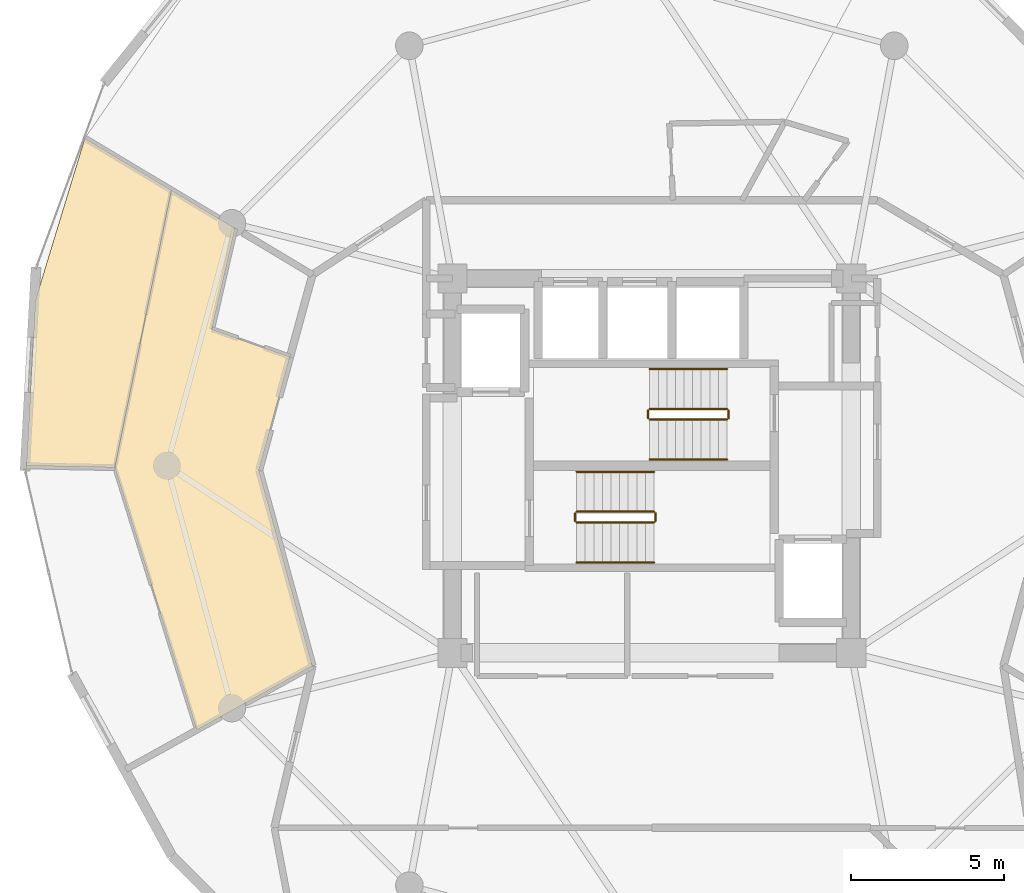
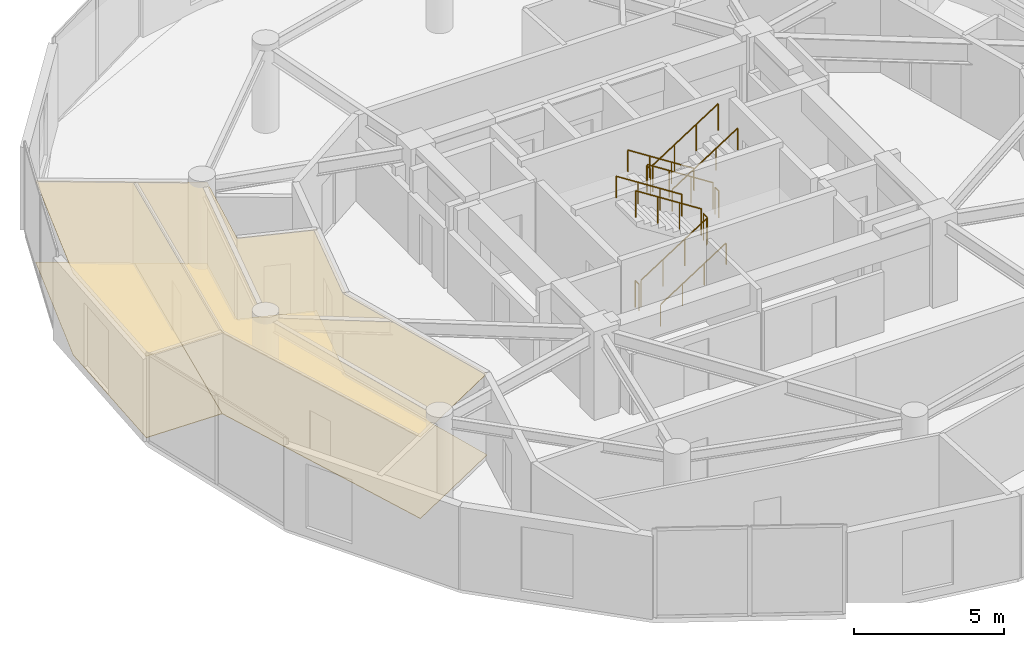
# One storey, part 20 of 21: 12 railings, 4 coverings.
"""IFC4 building model written with IfcOpenShell, lengths in metres."""

from ifc_helpers import new_model, si_unit, direction, frame, origin, origin_2d, place, context, subcontext, project, spatial, polyline, circle, outline, extrude, material, layer, layer_set, type_object, element, save


model = new_model("IFC4")

# Units and contexts
model_context = context("Model", 3, precision=1e-05, world=origin(), true_north=direction((0.0, 1.0)))
body_context = subcontext(model_context, "Body", "Model", "MODEL_VIEW")
ifc_project = project(units=[si_unit("LENGTHUNIT", "METRE"), si_unit("AREAUNIT", "SQUARE_METRE"), si_unit("VOLUMEUNIT", "CUBIC_METRE"), si_unit("PLANEANGLEUNIT", "RADIAN"), si_unit("MASSUNIT", "GRAM", prefix="KILO")], contexts=[model_context])

# Site, building, storey
site_placement = place(None, origin())
site = spatial("IfcSite", under=ifc_project, at=site_placement, CompositionType="ELEMENT")
building_placement = place(site_placement, origin())
building = spatial("IfcBuilding", under=site, at=building_placement, Name="Solvirekh Grand Hotel", CompositionType="ELEMENT")
storey_placement = place(building_placement, frame((0.0, 0.0, 216.39990234375)))
storey = spatial("IfcBuildingStorey", under=building, at=storey_placement, Name="L56", CompositionType="ELEMENT", Elevation=216.39990234375)

# Coverings
ifc_material_1 = material(Name="Acoustic Mineral Ceiling Tile")
ifc_layer_1 = layer(ifc_material_1, 0.02490234375)
ifc_layer_set_1 = layer_set([ifc_layer_1], Name="Acoustic Mineral Ceiling Tile")
covering_type_1 = type_object("IfcCoveringType", Name="Cov_Ceiling_Acoustic", PredefinedType="CEILING", material=ifc_layer_set_1)
covering_1_placement = place(storey_placement, frame((0.0, 0.0, 3.31005859375)))
element("IfcCovering", 1, at=covering_1_placement, inside=storey, type_object=covering_type_1, Name="L56 Executive Suite 5803 Living Room acoustic ceiling", PredefinedType="CEILING", context=body_context, shape_type="SweptSolid", body=[
    extrude(outline(polyline([(-14.3349609375, 4.445068359375), (-13.580078125, 7.735107421875), (-15.656982421875, 8.97900390625), (-17.5, -0.056884765625), (-14.830078125, -8.615966796875), (-11.05810546875, -6.52490234375), (-12.800048828125, -0.14990234375), (-11.7900390625, 3.547119140625), (-14.3349609375, 4.445068359375)])), origin(), (0.0, 0.0, 1.0), 0.01806640625),
])
covering_2_placement = place(storey_placement, frame((0.0, 0.0, 3.31005859375)))
element("IfcCovering", 2, at=covering_2_placement, inside=storey, type_object=covering_type_1, Name="L56 Executive Suite 5803 Master Bedroom acoustic ceiling", PredefinedType="CEILING", context=body_context, shape_type="SweptSolid", body=[
    extrude(outline(polyline([(-18.47607421875, 10.6669921875), (-20.087890625, 5.383056640625), (-20.3798828125, 0.0), (-17.5, -0.056884765625), (-15.656982421875, 8.97900390625), (-18.47607421875, 10.6669921875)])), origin(), (0.0, 0.0, 1.0), 0.01806640625),
])
ifc_material_2 = material(Name="Porcelain Stoneware Flooring", Category="masonry")
ifc_layer_2 = layer(ifc_material_2, 0.030029296875)
ifc_layer_set_2 = layer_set([ifc_layer_2], Name="Porcelain Stoneware Flooring")
covering_type_2 = type_object("IfcCoveringType", Name="Cov_Floor_Stone", PredefinedType="FLOORING", material=ifc_layer_set_2)
covering_3_placement = place(storey_placement, origin())
element("IfcCovering", 3, at=covering_3_placement, inside=storey, type_object=covering_type_2, Name="L56 Executive Suite 5803 Living Room polished granite flooring", PredefinedType="FLOORING", context=body_context, shape_type="SweptSolid", body=[
    extrude(outline(polyline([(-14.3349609375, 4.445068359375), (-13.580078125, 7.735107421875), (-15.656982421875, 8.97900390625), (-17.5, -0.056884765625), (-14.830078125, -8.615966796875), (-11.05810546875, -6.52490234375), (-12.800048828125, -0.14990234375), (-11.7900390625, 3.547119140625), (-14.3349609375, 4.445068359375)])), origin(), (0.0, 0.0, 1.0), 0.02001953125),
])
covering_4_placement = place(storey_placement, origin())
element("IfcCovering", 4, at=covering_4_placement, inside=storey, type_object=covering_type_2, Name="L56 Executive Suite 5803 Master Bedroom polished granite flooring", PredefinedType="FLOORING", context=body_context, shape_type="SweptSolid", body=[
    extrude(outline(polyline([(-18.47607421875, 10.6669921875), (-20.087890625, 5.383056640625), (-20.3798828125, 0.0), (-17.5, -0.056884765625), (-15.656982421875, 8.97900390625), (-18.47607421875, 10.6669921875)])), origin(), (0.0, 0.0, 1.0), 0.02001953125),
])

# Railings
ifc_material_3 = material(Name="Steel S355", Category="steel")
railing_type_1 = type_object("IfcRailingType", Name="Guard_Stair_1100", PredefinedType="GUARDRAIL", material=ifc_material_3)
railing_1_placement = place(storey_placement, frame((-2.449951171875, -1.85009765625, 0.18017578125)))
element("IfcRailing", 5, at=railing_1_placement, inside=storey, type_object=railing_type_1, Name="L56 ST-1 stair guard 1", PredefinedType="GUARDRAIL", context=body_context, shape_type="SweptSolid", body=[
    extrude(circle(Radius=0.02392578125, at=origin_2d()), frame((0.0, 0.0, 1.076171875), z_axis=(0.841199657755, 0.0, 0.540724639528), x_axis=(0.0, 1.0, 0.0)), (0.0, 0.0, 1.0), 2.995849609375),
    extrude(circle(Radius=0.02099609375, at=origin_2d()), origin(), (0.0, 0.0, 1.0), 1.052001953125),
    extrude(circle(Radius=0.02099609375, at=origin_2d()), frame((0.840087890625, 0.0, 0.5400390625)), (0.0, 0.0, 1.0), 1.052001953125),
    extrude(circle(Radius=0.02099609375, at=origin_2d()), frame((1.679931640625, 0.0, 1.079833984375)), (0.0, 0.0, 1.0), 1.052001953125),
    extrude(circle(Radius=0.02099609375, at=origin_2d()), frame((2.52001953125, 0.0, 1.619873046875)), (0.0, 0.0, 1.0), 1.052001953125),
])
railing_2_placement = place(storey_placement, frame((0.1201171875, -1.800048828125, 1.800048828125)))
element("IfcRailing", 6, at=railing_2_placement, inside=storey, type_object=railing_type_1, Name="L56 ST-1 stair guard 2", PredefinedType="GUARDRAIL", context=body_context, shape_type="SweptSolid", body=[
    extrude(circle(Radius=0.02392578125, at=origin_2d()), frame((0.0, 0.0, 1.076171875), z_axis=(0.0, 1.0, 0.0), x_axis=(-1.0, 0.0, 0.0)), (0.0, 0.0, 1.0), 0.25),
    extrude(circle(Radius=0.02099609375, at=origin_2d()), origin(), (0.0, 0.0, 1.0), 1.052001953125),
    extrude(circle(Radius=0.02099609375, at=origin_2d()), frame((0.0, 0.25, 0.0)), (0.0, 0.0, 1.0), 1.052001953125),
])
railing_3_placement = place(storey_placement, frame((0.070068359375, -1.5, 1.97998046875)))
element("IfcRailing", 7, at=railing_3_placement, inside=storey, type_object=railing_type_1, Name="L56 ST-1 stair guard 3", PredefinedType="GUARDRAIL", context=body_context, shape_type="SweptSolid", body=[
    extrude(circle(Radius=0.02392578125, at=origin_2d()), frame((0.0, 0.0, 1.076171875), z_axis=(-0.841162588446, 0.0, 0.540782303519), x_axis=(0.0, -1.0, 0.0)), (0.0, 0.0, 1.0), 2.995849609375),
    extrude(circle(Radius=0.02099609375, at=origin_2d()), origin(), (0.0, 0.0, 1.0), 1.052001953125),
    extrude(circle(Radius=0.02099609375, at=origin_2d()), frame((-0.840087890625, 0.0, 0.5400390625)), (0.0, 0.0, 1.0), 1.052001953125),
    extrude(circle(Radius=0.02099609375, at=origin_2d()), frame((-1.679931640625, 0.0, 1.080078125)), (0.0, 0.0, 1.0), 1.052001953125),
    extrude(circle(Radius=0.02099609375, at=origin_2d()), frame((-2.52001953125, 0.0, 1.6201171875)), (0.0, 0.0, 1.0), 1.052001953125),
])
railing_4_placement = place(storey_placement, frame((-2.5, -1.800048828125, 0.0)))
element("IfcRailing", 8, at=railing_4_placement, inside=storey, type_object=railing_type_1, Name="L56 ST-1 stair guard 4", PredefinedType="GUARDRAIL", context=body_context, shape_type="SweptSolid", body=[
    extrude(circle(Radius=0.02392578125, at=origin_2d()), frame((0.0, 0.0, 1.076171875), z_axis=(0.0, 1.0, 0.0), x_axis=(-1.0, 0.0, 0.0)), (0.0, 0.0, 1.0), 0.25),
    extrude(circle(Radius=0.02099609375, at=origin_2d()), origin(), (0.0, 0.0, 1.0), 1.052001953125),
    extrude(circle(Radius=0.02099609375, at=origin_2d()), frame((0.0, 0.25, 0.0)), (0.0, 0.0, 1.0), 1.052001953125),
])
railing_5_placement = place(storey_placement, frame((2.449951171875, 1.85009765625, 0.18017578125)))
element("IfcRailing", 9, at=railing_5_placement, inside=storey, type_object=railing_type_1, Name="L56 ST-2 stair guard 1", PredefinedType="GUARDRAIL", context=body_context, shape_type="SweptSolid", body=[
    extrude(circle(Radius=0.02392578125, at=origin_2d()), frame((0.0, 0.0, 1.076171875), z_axis=(-0.841199657755, 0.0, 0.540724639528), x_axis=(0.0, -1.0, 0.0)), (0.0, 0.0, 1.0), 2.995849609375),
    extrude(circle(Radius=0.02099609375, at=origin_2d()), origin(), (0.0, 0.0, 1.0), 1.052001953125),
    extrude(circle(Radius=0.02099609375, at=origin_2d()), frame((-0.840087890625, 0.0, 0.5400390625)), (0.0, 0.0, 1.0), 1.052001953125),
    extrude(circle(Radius=0.02099609375, at=origin_2d()), frame((-1.679931640625, 0.0, 1.079833984375)), (0.0, 0.0, 1.0), 1.052001953125),
    extrude(circle(Radius=0.02099609375, at=origin_2d()), frame((-2.52001953125, 0.0, 1.619873046875)), (0.0, 0.0, 1.0), 1.052001953125),
])
railing_6_placement = place(storey_placement, frame((-0.1201171875, 1.800048828125, 1.800048828125)))
element("IfcRailing", 10, at=railing_6_placement, inside=storey, type_object=railing_type_1, Name="L56 ST-2 stair guard 2", PredefinedType="GUARDRAIL", context=body_context, shape_type="SweptSolid", body=[
    extrude(circle(Radius=0.02392578125, at=origin_2d()), frame((0.0, 0.0, 1.076171875), z_axis=(0.0, -1.0, 0.0), x_axis=(1.0, 0.0, 0.0)), (0.0, 0.0, 1.0), 0.25),
    extrude(circle(Radius=0.02099609375, at=origin_2d()), origin(), (0.0, 0.0, 1.0), 1.052001953125),
    extrude(circle(Radius=0.02099609375, at=origin_2d()), frame((0.0, -0.25, 0.0)), (0.0, 0.0, 1.0), 1.052001953125),
])
railing_7_placement = place(storey_placement, frame((-0.070068359375, 1.5, 1.97998046875)))
element("IfcRailing", 11, at=railing_7_placement, inside=storey, type_object=railing_type_1, Name="L56 ST-2 stair guard 3", PredefinedType="GUARDRAIL", context=body_context, shape_type="SweptSolid", body=[
    extrude(circle(Radius=0.02392578125, at=origin_2d()), frame((0.0, 0.0, 1.076171875), z_axis=(0.841162588446, 0.0, 0.540782303519), x_axis=(0.0, 1.0, 0.0)), (0.0, 0.0, 1.0), 2.995849609375),
    extrude(circle(Radius=0.02099609375, at=origin_2d()), origin(), (0.0, 0.0, 1.0), 1.052001953125),
    extrude(circle(Radius=0.02099609375, at=origin_2d()), frame((0.840087890625, 0.0, 0.5400390625)), (0.0, 0.0, 1.0), 1.052001953125),
    extrude(circle(Radius=0.02099609375, at=origin_2d()), frame((1.679931640625, 0.0, 1.080078125)), (0.0, 0.0, 1.0), 1.052001953125),
    extrude(circle(Radius=0.02099609375, at=origin_2d()), frame((2.52001953125, 0.0, 1.6201171875)), (0.0, 0.0, 1.0), 1.052001953125),
])
railing_8_placement = place(storey_placement, frame((2.5, 1.800048828125, 0.0)))
element("IfcRailing", 12, at=railing_8_placement, inside=storey, type_object=railing_type_1, Name="L56 ST-2 stair guard 4", PredefinedType="GUARDRAIL", context=body_context, shape_type="SweptSolid", body=[
    extrude(circle(Radius=0.02392578125, at=origin_2d()), frame((0.0, 0.0, 1.076171875), z_axis=(0.0, -1.0, 0.0), x_axis=(1.0, 0.0, 0.0)), (0.0, 0.0, 1.0), 0.25),
    extrude(circle(Radius=0.02099609375, at=origin_2d()), origin(), (0.0, 0.0, 1.0), 1.052001953125),
    extrude(circle(Radius=0.02099609375, at=origin_2d()), frame((0.0, -0.25, 0.0)), (0.0, 0.0, 1.0), 1.052001953125),
])
ifc_material_4 = material(Name="Anodized Bronze Aluminium 6063-T6", Category="aluminium")
railing_type_2 = type_object("IfcRailingType", Name="Handrail_Wall_900", PredefinedType="HANDRAIL", material=ifc_material_4)
railing_9_placement = place(storey_placement, frame((-2.449951171875, -3.14990234375, 0.18017578125)))
element("IfcRailing", 13, at=railing_9_placement, inside=storey, type_object=railing_type_2, Name="L56 ST-1 stair handrail 1", PredefinedType="HANDRAIL", context=body_context, shape_type="SweptSolid", body=[
    extrude(circle(Radius=0.02392578125, at=origin_2d()), frame((0.0, 0.0, 0.8759765625), z_axis=(0.841199657755, 0.0, 0.540724639528), x_axis=(0.0, 1.0, 0.0)), (0.0, 0.0, 1.0), 2.995849609375),
    extrude(circle(Radius=0.02099609375, at=origin_2d()), origin(), (0.0, 0.0, 1.0), 0.851806640625),
    extrude(circle(Radius=0.02099609375, at=origin_2d()), frame((0.840087890625, 0.0, 0.5400390625)), (0.0, 0.0, 1.0), 0.851806640625),
    extrude(circle(Radius=0.02099609375, at=origin_2d()), frame((1.679931640625, 0.0, 1.079833984375)), (0.0, 0.0, 1.0), 0.851806640625),
    extrude(circle(Radius=0.02099609375, at=origin_2d()), frame((2.52001953125, 0.0, 1.619873046875)), (0.0, 0.0, 1.0), 0.851806640625),
])
railing_10_placement = place(storey_placement, frame((0.070068359375, -0.199951171875, 1.97998046875)))
element("IfcRailing", 14, at=railing_10_placement, inside=storey, type_object=railing_type_2, Name="L56 ST-1 stair handrail 2", PredefinedType="HANDRAIL", context=body_context, shape_type="SweptSolid", body=[
    extrude(circle(Radius=0.02392578125, at=origin_2d()), frame((0.0, 0.0, 0.8759765625), z_axis=(-0.841162588446, 0.0, 0.540782303519), x_axis=(0.0, -1.0, 0.0)), (0.0, 0.0, 1.0), 2.995849609375),
    extrude(circle(Radius=0.02099609375, at=origin_2d()), origin(), (0.0, 0.0, 1.0), 0.851806640625),
    extrude(circle(Radius=0.02099609375, at=origin_2d()), frame((-0.840087890625, 0.0, 0.5400390625)), (0.0, 0.0, 1.0), 0.851806640625),
    extrude(circle(Radius=0.02099609375, at=origin_2d()), frame((-1.679931640625, 0.0, 1.080078125)), (0.0, 0.0, 1.0), 0.851806640625),
    extrude(circle(Radius=0.02099609375, at=origin_2d()), frame((-2.52001953125, 0.0, 1.6201171875)), (0.0, 0.0, 1.0), 0.851806640625),
])
railing_11_placement = place(storey_placement, frame((2.449951171875, 3.14990234375, 0.18017578125)))
element("IfcRailing", 15, at=railing_11_placement, inside=storey, type_object=railing_type_2, Name="L56 ST-2 stair handrail 1", PredefinedType="HANDRAIL", context=body_context, shape_type="SweptSolid", body=[
    extrude(circle(Radius=0.02392578125, at=origin_2d()), frame((0.0, 0.0, 0.8759765625), z_axis=(-0.841199657755, 0.0, 0.540724639528), x_axis=(0.0, -1.0, 0.0)), (0.0, 0.0, 1.0), 2.995849609375),
    extrude(circle(Radius=0.02099609375, at=origin_2d()), origin(), (0.0, 0.0, 1.0), 0.851806640625),
    extrude(circle(Radius=0.02099609375, at=origin_2d()), frame((-0.840087890625, 0.0, 0.5400390625)), (0.0, 0.0, 1.0), 0.851806640625),
    extrude(circle(Radius=0.02099609375, at=origin_2d()), frame((-1.679931640625, 0.0, 1.079833984375)), (0.0, 0.0, 1.0), 0.851806640625),
    extrude(circle(Radius=0.02099609375, at=origin_2d()), frame((-2.52001953125, 0.0, 1.619873046875)), (0.0, 0.0, 1.0), 0.851806640625),
])
railing_12_placement = place(storey_placement, frame((-0.070068359375, 0.199951171875, 1.97998046875)))
element("IfcRailing", 16, at=railing_12_placement, inside=storey, type_object=railing_type_2, Name="L56 ST-2 stair handrail 2", PredefinedType="HANDRAIL", context=body_context, shape_type="SweptSolid", body=[
    extrude(circle(Radius=0.02392578125, at=origin_2d()), frame((0.0, 0.0, 0.8759765625), z_axis=(0.841162588446, 0.0, 0.540782303519), x_axis=(0.0, 1.0, 0.0)), (0.0, 0.0, 1.0), 2.995849609375),
    extrude(circle(Radius=0.02099609375, at=origin_2d()), origin(), (0.0, 0.0, 1.0), 0.851806640625),
    extrude(circle(Radius=0.02099609375, at=origin_2d()), frame((0.840087890625, 0.0, 0.5400390625)), (0.0, 0.0, 1.0), 0.851806640625),
    extrude(circle(Radius=0.02099609375, at=origin_2d()), frame((1.679931640625, 0.0, 1.080078125)), (0.0, 0.0, 1.0), 0.851806640625),
    extrude(circle(Radius=0.02099609375, at=origin_2d()), frame((2.52001953125, 0.0, 1.6201171875)), (0.0, 0.0, 1.0), 0.851806640625),
])

save(model, "model.ifc")
